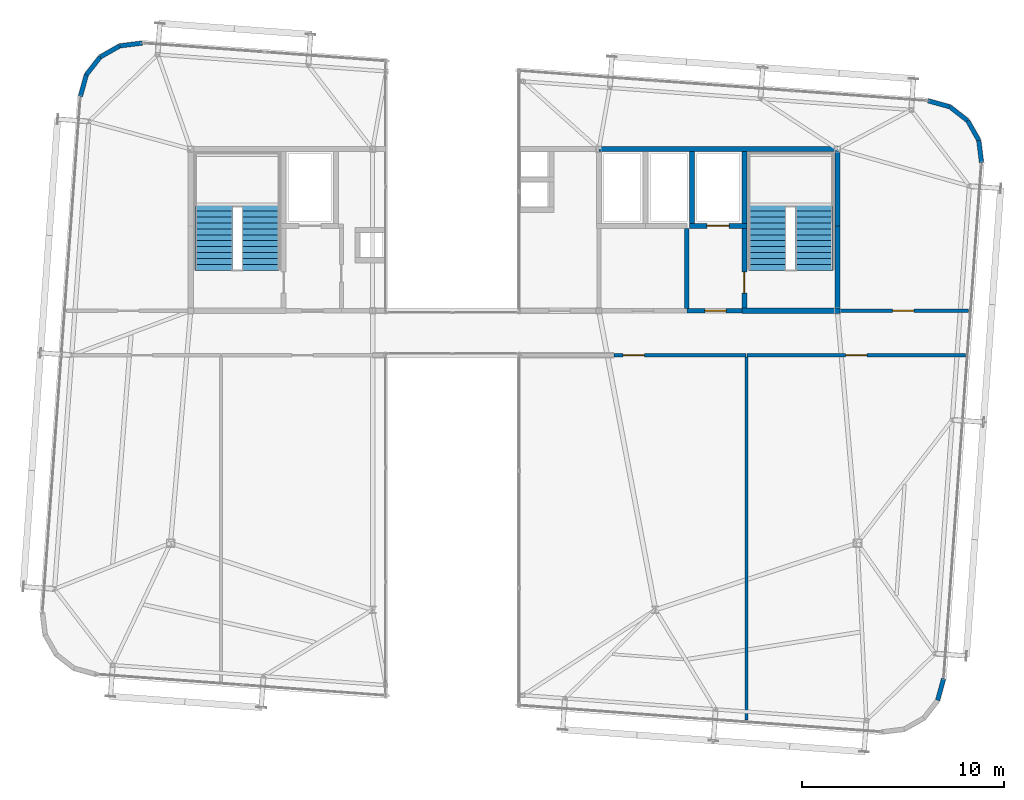
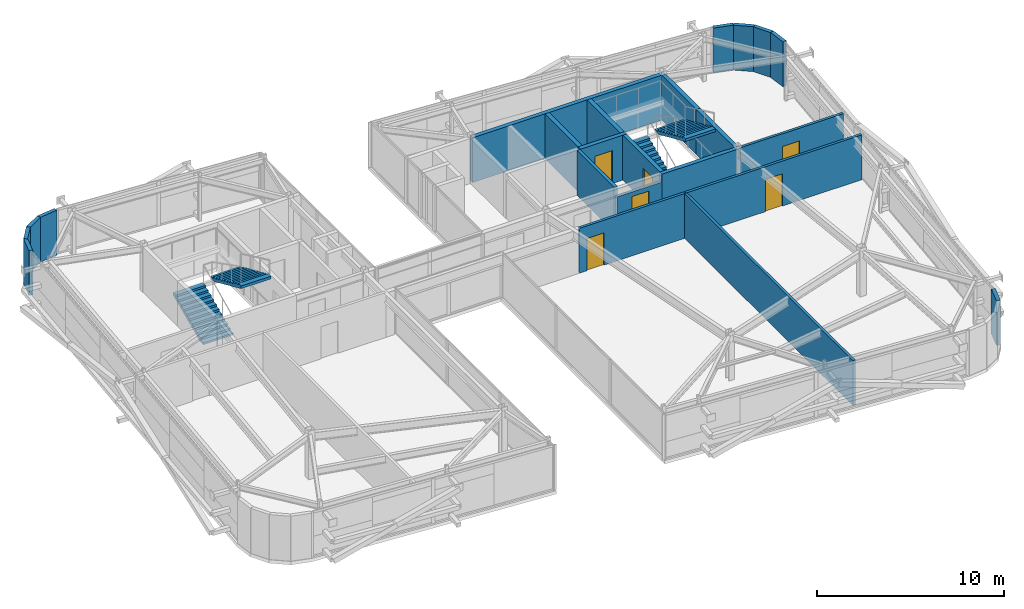
# One storey, part 37 of 39: 23 walls, 6 doors, 4 stair flights, 6 openings, 2 elements without a shape of their own.
"""IFC4 building model written with IfcOpenShell, lengths in metres."""

from ifc_helpers import new_model, si_unit, direction, frame, frame_2d, origin, place, context, subcontext, project, spatial, polyline, rectangle, outline, extrude, source, transform, mapped, material, layer, layer_set, type_object, element, fill, aggregate, save


model = new_model("IFC4")

# Units and contexts
model_context = context("Model", 3, precision=1e-05, world=origin(), true_north=direction((0.0, 1.0)))
body_context = subcontext(model_context, "Body", "Model", "MODEL_VIEW")
ifc_project = project(units=[si_unit("LENGTHUNIT", "METRE"), si_unit("AREAUNIT", "SQUARE_METRE"), si_unit("VOLUMEUNIT", "CUBIC_METRE"), si_unit("PLANEANGLEUNIT", "RADIAN"), si_unit("MASSUNIT", "GRAM", prefix="KILO")], contexts=[model_context])

# Site, building, storey
site_placement = place(None, origin())
site = spatial("IfcSite", under=ifc_project, at=site_placement, CompositionType="ELEMENT")
building_placement = place(site_placement, origin())
building = spatial("IfcBuilding", under=site, at=building_placement, Name="Taldren Reach Tower", CompositionType="ELEMENT")
storey_placement = place(building_placement, frame((0.0, 0.0, 230.300048828125)))
storey = spatial("IfcBuildingStorey", under=building, at=storey_placement, Name="L70", CompositionType="ELEMENT", Elevation=230.300048828125)

# Walls
ifc_material_1 = material(Name="Pale Champagne Anodised Aluminium Cladding", Category="aluminium")
ifc_layer_1 = layer(ifc_material_1, 0.04, Name="Pale Champagne Anodised Aluminium Cladding", Category="aluminium")
ifc_material_2 = material(Name="Mineral Wool Acoustic Insulation", Category="insulation")
ifc_layer_2 = layer(ifc_material_2, 0.06, Name="Mineral Wool Acoustic Insulation", Category="insulation")
ifc_material_3 = material(Name="Steel Gr 350 (C350L0)", Category="steel")
ifc_layer_3 = layer(ifc_material_3, 0.12, Name="Steel Gr 350 (C350L0)", Category="steel")
ifc_layer_set_1 = layer_set([ifc_layer_1, ifc_layer_2, ifc_layer_3], Name="Pale Champagne Aluminium Cladding and Steel Gr 350 Stud Framing")
wall_type_1 = type_object("IfcWallType", Name="EW-CRN-220", PredefinedType="SOLIDWALL", material=ifc_layer_set_1)
shared_shape_1 = source(origin(), body_context, "Body", "SweptSolid", [
    extrude(rectangle(XDim=1.115966796875, YDim=0.219970703125, at=frame_2d((0.55810546875, 0.0))), origin(), (0.0, 0.0, 1.0), 2.929931640625),
])
for number, where, z_axis, x_axis, name in (
    (1, (55.96533203125, 4.72119140625, 0.0), (0.0, 0.0, 1.0), (0.26624444942, 0.963905541613, 0.0), "Rounded-corner pale-metal facade wall L70-SE4"),
    (2, (58.137451171875, 31.328125, 0.0), (0.0, 0.0, 1.0), (-0.122742076028, 0.992438604032, 0.0), "Rounded-corner pale-metal facade wall L70-NE1"),
    (3, (57.4501953125, 33.40625, 0.0), (0.0, 0.0, 1.0), (-0.788597772321, 0.614909386406, 0.0), "Rounded-corner pale-metal facade wall L70-NE3"),
    (4, (14.52099609375, 36.558837890625, 0.0), (0.0, 0.0, 1.0), (-0.614909386406, -0.788597772321, 0.0), "Rounded-corner pale-metal facade wall L70-NW3"),
):
    element("IfcWall", number, at=place(storey_placement, frame(where, z_axis=z_axis, x_axis=x_axis)), inside=storey, type_object=wall_type_1, Name=name, PredefinedType="SOLIDWALL", context=body_context, shape_type="MappedRepresentation", body=[
        mapped(shared_shape_1, transform((0.0, 0.0, 0.0), scale=1.0)),
    ])
shared_shape_2 = source(origin(), body_context, "Body", "SweptSolid", [
    extrude(rectangle(XDim=1.11572265625, YDim=0.219970703125, at=frame_2d((0.557861328125, 0.0))), origin(), (0.0, 0.0, 1.0), 2.929931640625),
])
for number, where, z_axis, x_axis, name in (
    (5, (58.00048828125, 32.435546875, 0.0), (0.0, 0.0, 1.0), (-0.493167138628, 0.869934579941, 0.0), "Rounded-corner pale-metal facade wall L70-NE2"),
    (6, (56.570068359375, 34.092529296875, 0.0), (0.0, 0.0, 1.0), (-0.963833843713, 0.266503886865, 0.0), "Rounded-corner pale-metal facade wall L70-NE4"),
    (7, (15.49169921875, 37.109130859375, 0.0), (0.0, 0.0, 1.0), (-0.869934579941, -0.493167138628, 0.0), "Rounded-corner pale-metal facade wall L70-NW2"),
    (8, (13.834716796875, 35.6787109375, 0.0), (0.0, 0.0, 1.0), (-0.266300605026, -0.963890028874, 0.0), "Rounded-corner pale-metal facade wall L70-NW4"),
):
    element("IfcWall", number, at=place(storey_placement, frame(where, z_axis=z_axis, x_axis=x_axis)), inside=storey, type_object=wall_type_1, Name=name, PredefinedType="SOLIDWALL", context=body_context, shape_type="MappedRepresentation", body=[
        mapped(shared_shape_2, transform((0.0, 0.0, 0.0), scale=1.0)),
    ])
shared_shape_3 = source(origin(), body_context, "Body", "SweptSolid", [
    extrude(rectangle(XDim=1.1162109375, YDim=0.219970703125, at=frame_2d((0.55810546875, 0.0))), origin(), (0.0, 0.0, 1.0), 2.929931640625),
])
wall_1_placement = place(storey_placement, frame((16.599365234375, 37.24609375, 0.0), z_axis=(0.0, 0.0, 1.0), x_axis=(-0.992441899189, -0.122715429897, 0.0)))
element("IfcWall", 9, at=wall_1_placement, inside=storey, type_object=wall_type_1, Name="Rounded-corner pale-metal facade wall L70-NW1", PredefinedType="SOLIDWALL", context=body_context, shape_type="MappedRepresentation", body=[
    mapped(shared_shape_3, transform((0.0, 0.0, 0.0), scale=1.0)),
])
ifc_material_4 = material(Name="Concrete S65 (65 MPa)", Category="concrete")
ifc_layer_4 = layer(ifc_material_4, 0.25)
ifc_layer_set_2 = layer_set([ifc_layer_4], Name="Concrete S65 (65 MPa)")
wall_type_2 = type_object("IfcWallType", Name="IW-CORE-250", PredefinedType="SHEAR", material=ifc_layer_set_2)
shared_shape_4 = source(origin(), body_context, "Body", "SweptSolid", [
    extrude(rectangle(XDim=11.925048828125, YDim=0.25, at=frame_2d((5.96240234375, 0.0))), origin(), (0.0, 0.0, 1.0), 2.929931640625),
])
wall_2_placement = place(storey_placement, frame((39.199951171875, 32.0, 0.0), z_axis=(0.0, 0.0, 1.0), x_axis=(1.0, 0.0, 0.0)))
element("IfcWall", 10, at=wall_2_placement, inside=storey, type_object=wall_type_2, Name="Rear Core Shear Wall W-CORE-L70-NORTH4", PredefinedType="SHEAR", context=body_context, shape_type="MappedRepresentation", body=[
    mapped(shared_shape_4, transform((0.0, 0.0, 0.0), scale=1.0)),
])
shared_shape_5 = source(origin(), body_context, "Body", "SweptSolid", [
    extrude(rectangle(XDim=4.074951171875, YDim=0.25, at=frame_2d((2.03759765625, 0.0))), origin(), (0.0, 0.0, 1.0), 2.929931640625),
])
wall_3_placement = place(storey_placement, frame((51.0, 24.125, 0.0), z_axis=(0.0, 0.0, 1.0), x_axis=(0.0, 1.0, 0.0)))
element("IfcWall", 11, at=wall_3_placement, inside=storey, type_object=wall_type_2, Name="Rear Core Shear Wall W-CORE-L70-EAST1", PredefinedType="SHEAR", context=body_context, shape_type="MappedRepresentation", body=[
    mapped(shared_shape_5, transform((0.0, 0.0, 0.0), scale=1.0)),
])
shared_shape_6 = source(origin(), body_context, "Body", "SweptSolid", [
    extrude(rectangle(XDim=3.675048828125, YDim=0.25, at=frame_2d((1.83740234375, 0.0))), origin(), (0.0, 0.0, 1.0), 2.929931640625),
])
wall_4_placement = place(storey_placement, frame((51.0, 28.199951171875, 0.0), z_axis=(0.0, 0.0, 1.0), x_axis=(0.0, 1.0, 0.0)))
element("IfcWall", 12, at=wall_4_placement, inside=storey, type_object=wall_type_2, Name="Rear Core Shear Wall W-CORE-L70-EAST2", PredefinedType="SHEAR", context=body_context, shape_type="MappedRepresentation", body=[
    mapped(shared_shape_6, transform((0.0, 0.0, 0.0), scale=1.0)),
])
shared_shape_7 = source(origin(), body_context, "Body", "SweptSolid", [
    extrude(rectangle(XDim=3.550048828125, YDim=0.25, at=frame_2d((1.77490234375, 0.0))), origin(), (0.0, 0.0, 1.0), 2.929931640625),
])
for number, where, z_axis, x_axis, name in (
    (13, (46.39990234375, 31.875, 0.0), (0.0, 0.0, 1.0), (0.0, -1.0, 0.0), "Rear Core Shear Wall W-INT-L70-008"),
    (14, (43.800048828125, 31.875, 0.0), (0.0, 0.0, 1.0), (0.0, -1.0, 0.0), "Rear Core Shear Wall W-INT-L70-012"),
):
    element("IfcWall", number, at=place(storey_placement, frame(where, z_axis=z_axis, x_axis=x_axis)), inside=storey, type_object=wall_type_2, Name=name, PredefinedType="SHEAR", context=body_context, shape_type="MappedRepresentation", body=[
        mapped(shared_shape_7, transform((0.0, 0.0, 0.0), scale=1.0)),
    ])

# Wall, opening, door
shared_shape_8 = source(origin(), body_context, "Body", "SweptSolid", [
    extrude(rectangle(XDim=3.949951171875, YDim=0.25, at=frame_2d((1.97509765625, 0.0))), origin(), (0.0, 0.0, 1.0), 2.929931640625),
])
wall_5_placement = place(storey_placement, frame((46.39990234375, 28.074951171875, 0.0), z_axis=(0.0, 0.0, 1.0), x_axis=(0.0, -1.0, 0.0)))
wall_5 = element("IfcWall", 15, at=wall_5_placement, inside=storey, type_object=wall_type_2, Name="Rear Core Shear Wall W-INT-L70-009", PredefinedType="SHEAR", context=body_context, shape_type="MappedRepresentation", body=[
    mapped(shared_shape_8, transform((0.0, 0.0, 0.0), scale=1.0)),
])
shared_shape_9 = source(origin(), body_context, "Body", "SweptSolid", [
    extrude(rectangle(XDim=1.050048828125, YDim=2.10009765625, at=frame_2d((0.52490234375, 1.050048828125))), frame((0.0, 0.135009765625, 0.0), z_axis=(0.0, -1.0, 0.0), x_axis=(1.0, 0.0, 0.0)), (0.0, 0.0, 1.0), 0.27001953125),
])
opening_1_placement = place(wall_5_placement, frame((2.14990234375, 0.0, 0.0)))
opening_1 = element("IfcOpeningElement", 16, at=opening_1_placement, cuts=wall_5, Name="Opening DF-105", PredefinedType="OPENING", context=body_context, shape_type="MappedRepresentation", body=[
    mapped(shared_shape_9, transform((0.0, 0.0, 0.0), scale=1.0)),
])
ifc_material_5 = material(Name="Fire-Rated Care and Stair Exit Door")
door_type_1 = type_object("IfcDoorType", Name="ID-FIRE-105", OperationType="NOTDEFINED", PredefinedType="DOOR", material=ifc_material_5)
shared_shape_10 = source(origin(), body_context, "Body", "SweptSolid", [
    extrude(rectangle(XDim=1.050048828125, YDim=2.10009765625, at=frame_2d((0.52490234375, 1.050048828125))), frame((0.0, 0.02490234375, 0.0), z_axis=(0.0, -1.0, 0.0), x_axis=(1.0, 0.0, 0.0)), (0.0, 0.0, 1.0), 0.050048828125),
])
door_1_placement = place(opening_1_placement, origin())
door_1 = element("IfcDoor", 17, at=door_1_placement, inside=storey, type_object=door_type_1, Name="Fire Exit Stair Door DR-L70-003", OperationType="SINGLE_SWING_RIGHT", OverallHeight=2.10009765625, OverallWidth=1.050048828125, PredefinedType="DOOR", context=body_context, shape_type="MappedRepresentation", body=[
    mapped(shared_shape_10, transform((0.0, 0.0, 0.0), scale=1.0)),
])
fill(opening_1, door_1)

# Wall
shared_shape_11 = source(origin(), body_context, "Body", "SweptSolid", [
    extrude(rectangle(XDim=4.85009765625, YDim=0.25, at=frame_2d((2.425048828125, 0.0))), origin(), (0.0, 0.0, 1.0), 2.929931640625),
])
wall_6_placement = place(storey_placement, frame((46.27490234375, 24.0, 0.0), z_axis=(0.0, 0.0, 1.0), x_axis=(1.0, 0.0, 0.0)))
element("IfcWall", 18, at=wall_6_placement, inside=storey, type_object=wall_type_2, Name="Rear Core Shear Wall W-INT-L70-010", PredefinedType="SHEAR", context=body_context, shape_type="MappedRepresentation", body=[
    mapped(shared_shape_11, transform((0.0, 0.0, 0.0), scale=1.0)),
])

# Wall, opening, door
shared_shape_12 = source(origin(), body_context, "Body", "SweptSolid", [
    extrude(rectangle(XDim=2.849853515625, YDim=0.25, at=frame_2d((1.4248046875, 0.0))), origin(), (0.0, 0.0, 1.0), 2.929931640625),
])
wall_7_placement = place(storey_placement, frame((43.675048828125, 28.199951171875, 0.0), z_axis=(0.0, 0.0, 1.0), x_axis=(1.0, 0.0, 0.0)))
wall_7 = element("IfcWall", 19, at=wall_7_placement, inside=storey, type_object=wall_type_2, Name="Rear Core Shear Wall W-INT-L70-011", PredefinedType="SHEAR", context=body_context, shape_type="MappedRepresentation", body=[
    mapped(shared_shape_12, transform((0.0, 0.0, 0.0), scale=1.0)),
])
shared_shape_13 = source(origin(), body_context, "Body", "SweptSolid", [
    extrude(rectangle(XDim=1.10009765625, YDim=2.14990234375, at=frame_2d((0.550048828125, 1.074951171875))), frame((0.0, 0.135009765625, 0.0), z_axis=(0.0, -1.0, 0.0), x_axis=(1.0, 0.0, 0.0)), (0.0, 0.0, 1.0), 0.27001953125),
])
opening_2_placement = place(wall_7_placement, frame((0.875, 0.0, 0.0)))
opening_2 = element("IfcOpeningElement", 20, at=opening_2_placement, cuts=wall_7, Name="Opening LD-FL2", PredefinedType="OPENING", context=body_context, shape_type="MappedRepresentation", body=[
    mapped(shared_shape_13, transform((0.0, 0.0, 0.0), scale=1.0)),
])
ifc_material_6 = material(Name="Stainless Steel Gr 316 Emergency Lift Landing Door", Category="steel")
door_type_2 = type_object("IfcDoorType", Name="LD-EMG-110", OperationType="SLIDING_TO_LEFT", PredefinedType="DOOR", material=ifc_material_6)
shared_shape_14 = source(origin(), body_context, "Body", "SweptSolid", [
    extrude(rectangle(XDim=1.10009765625, YDim=2.14990234375, at=frame_2d((0.550048828125, 1.074951171875))), frame((0.0, 0.02490234375, 0.0), z_axis=(0.0, -1.0, 0.0), x_axis=(1.0, 0.0, 0.0)), (0.0, 0.0, 1.0), 0.050048828125),
])
door_2_placement = place(opening_2_placement, origin())
door_2 = element("IfcDoor", 21, at=door_2_placement, inside=storey, type_object=door_type_2, Name="Lift Landing Door LD-FL2-L70", OperationType="SLIDING_TO_LEFT", OverallHeight=2.14990234375, OverallWidth=1.10009765625, PredefinedType="DOOR", context=body_context, shape_type="MappedRepresentation", body=[
    mapped(shared_shape_14, transform((0.0, 0.0, 0.0), scale=1.0)),
])
fill(opening_2, door_2)

# Wall
ifc_material_7 = material(Name="Concrete S50 (50 MPa)", Category="concrete")
ifc_layer_5 = layer(ifc_material_7, 0.199951171875)
ifc_layer_set_3 = layer_set([ifc_layer_5], Name="Concrete S50 (50 MPa)")
wall_type_3 = type_object("IfcWallType", Name="IW-CORE-200", PredefinedType="SOLIDWALL", material=ifc_layer_set_3)
shared_shape_15 = source(origin(), body_context, "Body", "SweptSolid", [
    extrude(rectangle(XDim=3.974853515625, YDim=0.199951171875, at=frame_2d((1.9873046875, 0.0))), origin(), (0.0, 0.0, 1.0), 2.929931640625),
])
wall_8_placement = place(storey_placement, frame((43.550048828125, 28.074951171875, 0.0), z_axis=(0.0, 0.0, 1.0), x_axis=(0.0, -1.0, 0.0)))
element("IfcWall", 22, at=wall_8_placement, inside=storey, type_object=wall_type_3, Name="Rear Core Shear Wall W-INT-L70-013", PredefinedType="SOLIDWALL", context=body_context, shape_type="MappedRepresentation", body=[
    mapped(shared_shape_15, transform((0.0, 0.0, 0.0), scale=1.0)),
])

# Wall, opening, door
shared_shape_16 = source(origin(), body_context, "Body", "SweptSolid", [
    extrude(rectangle(XDim=2.724853515625, YDim=0.199951171875, at=frame_2d((1.3623046875, 0.0))), origin(), (0.0, 0.0, 1.0), 2.39697265625),
])
wall_9_placement = place(storey_placement, frame((43.550048828125, 24.0, 0.0), z_axis=(0.0, 0.0, 1.0), x_axis=(1.0, 0.0, 0.0)))
wall_9 = element("IfcWall", 23, at=wall_9_placement, inside=storey, type_object=wall_type_3, Name="Rear Core Shear Wall W-INT-L70-014", PredefinedType="SOLIDWALL", context=body_context, shape_type="MappedRepresentation", body=[
    mapped(shared_shape_16, transform((0.0, 0.0, 0.0), scale=1.0)),
])
shared_shape_17 = source(origin(), body_context, "Body", "SweptSolid", [
    extrude(rectangle(XDim=1.050048828125, YDim=2.10009765625, at=frame_2d((0.52490234375, 1.050048828125))), frame((0.0, 0.10986328125, 0.0), z_axis=(0.0, -1.0, 0.0), x_axis=(1.0, 0.0, 0.0)), (0.0, 0.0, 1.0), 0.219970703125),
])
opening_3_placement = place(wall_9_placement, frame((0.89990234375, 0.0, 0.0)))
opening_3 = element("IfcOpeningElement", 24, at=opening_3_placement, cuts=wall_9, Name="Opening DF-105", PredefinedType="OPENING", context=body_context, shape_type="MappedRepresentation", body=[
    mapped(shared_shape_17, transform((0.0, 0.0, 0.0), scale=1.0)),
])
door_3_placement = place(opening_3_placement, origin())
door_3 = element("IfcDoor", 25, at=door_3_placement, inside=storey, type_object=door_type_1, Name="Interior Door DR-L70-004", OperationType="SINGLE_SWING_LEFT", OverallHeight=2.10009765625, OverallWidth=1.050048828125, PredefinedType="DOOR", context=body_context, shape_type="MappedRepresentation", body=[
    mapped(shared_shape_10, transform((0.0, 0.0, 0.0), scale=1.0)),
])
fill(opening_3, door_3)

ifc_material_8 = material(Name="Fire-Rated Acoustic Plasterboard Stud Wall", Category="gypsum")
ifc_layer_6 = layer(ifc_material_8, 0.159912109375)
ifc_layer_set_4 = layer_set([ifc_layer_6], Name="Fire-Rated Acoustic Plasterboard Stud Wall")
wall_type_4 = type_object("IfcWallType", Name="IW-FIRE-160", PredefinedType="PARTITIONING", material=ifc_layer_set_4)
shared_shape_18 = source(origin(), body_context, "Body", "SweptSolid", [
    extrude(rectangle(XDim=6.378173828125, YDim=0.159912109375, at=frame_2d((3.18896484375, 0.0))), origin(), (0.0, 0.0, 1.0), 2.929931640625),
])
wall_10_placement = place(storey_placement, frame((51.125, 24.0, 0.0), z_axis=(0.0, 0.0, 1.0), x_axis=(1.0, 0.0, 0.0)))
wall_10 = element("IfcWall", 26, at=wall_10_placement, inside=storey, type_object=wall_type_4, Name="Interior Partition Wall W-INT-L70-031", PredefinedType="PARTITIONING", context=body_context, shape_type="MappedRepresentation", body=[
    mapped(shared_shape_18, transform((0.0, 0.0, 0.0), scale=1.0)),
])
shared_shape_19 = source(origin(), body_context, "Body", "SweptSolid", [
    extrude(rectangle(XDim=1.050048828125, YDim=2.10009765625, at=frame_2d((0.52490234375, 1.050048828125))), frame((0.0, 0.08984375, 0.0), z_axis=(0.0, -1.0, 0.0), x_axis=(1.0, 0.0, 0.0)), (0.0, 0.0, 1.0), 0.179931640625),
])
opening_4_placement = place(wall_10_placement, frame((2.61181640625, 0.0, 0.0)))
opening_4 = element("IfcOpeningElement", 27, at=opening_4_placement, cuts=wall_10, Name="Opening DF-105", PredefinedType="OPENING", context=body_context, shape_type="MappedRepresentation", body=[
    mapped(shared_shape_19, transform((0.0, 0.0, 0.0), scale=1.0)),
])
door_4_placement = place(opening_4_placement, origin())
door_4 = element("IfcDoor", 28, at=door_4_placement, inside=storey, type_object=door_type_1, Name="Interior Door DR-L70-008", OperationType="SINGLE_SWING_LEFT", OverallHeight=2.10009765625, OverallWidth=1.050048828125, PredefinedType="DOOR", context=body_context, shape_type="MappedRepresentation", body=[
    mapped(shared_shape_10, transform((0.0, 0.0, 0.0), scale=1.0)),
])
fill(opening_4, door_4)

shared_shape_20 = source(origin(), body_context, "Body", "SweptSolid", [
    extrude(rectangle(XDim=6.52978515625, YDim=0.159912109375, at=frame_2d((3.264892578125, 0.0))), origin(), (0.0, 0.0, 1.0), 2.929931640625),
])
wall_11_placement = place(storey_placement, frame((46.479736328125, 21.800048828125, 0.0), z_axis=(0.0, 0.0, 1.0), x_axis=(-1.0, 0.0, 0.0)))
wall_11 = element("IfcWall", 29, at=wall_11_placement, inside=storey, type_object=wall_type_4, Name="Interior Partition Wall W-INT-L70-034", PredefinedType="PARTITIONING", context=body_context, shape_type="MappedRepresentation", body=[
    mapped(shared_shape_20, transform((0.0, 0.0, 0.0), scale=1.0)),
])
opening_5_placement = place(wall_11_placement, frame((5.031982421875, 0.0, 0.0)))
opening_5 = element("IfcOpeningElement", 30, at=opening_5_placement, cuts=wall_11, Name="Opening DF-105", PredefinedType="OPENING", context=body_context, shape_type="MappedRepresentation", body=[
    mapped(shared_shape_19, transform((0.0, 0.0, 0.0), scale=1.0)),
])
door_5_placement = place(opening_5_placement, origin())
door_5 = element("IfcDoor", 31, at=door_5_placement, inside=storey, type_object=door_type_1, Name="Interior Door DR-L70-011", OperationType="SINGLE_SWING_RIGHT", OverallHeight=2.10009765625, OverallWidth=1.050048828125, PredefinedType="DOOR", context=body_context, shape_type="MappedRepresentation", body=[
    mapped(shared_shape_10, transform((0.0, 0.0, 0.0), scale=1.0)),
])
fill(opening_5, door_5)

shared_shape_21 = source(origin(), body_context, "Body", "SweptSolid", [
    extrude(rectangle(XDim=10.8330078125, YDim=0.159912109375, at=frame_2d((5.41650390625, 0.0))), origin(), (0.0, 0.0, 1.0), 2.929931640625),
])
wall_12_placement = place(storey_placement, frame((57.353271484375, 21.800048828125, 0.0), z_axis=(0.0, 0.0, 1.0), x_axis=(-1.0, 0.0, 0.0)))
wall_12 = element("IfcWall", 32, at=wall_12_placement, inside=storey, type_object=wall_type_4, Name="Interior Partition Wall W-INT-L70-035", PredefinedType="PARTITIONING", context=body_context, shape_type="MappedRepresentation", body=[
    mapped(shared_shape_21, transform((0.0, 0.0, 0.0), scale=1.0)),
])
opening_6_placement = place(wall_12_placement, frame((4.8916015625, 0.0, 0.0)))
opening_6 = element("IfcOpeningElement", 33, at=opening_6_placement, cuts=wall_12, Name="Opening DF-105", PredefinedType="OPENING", context=body_context, shape_type="MappedRepresentation", body=[
    mapped(shared_shape_19, transform((0.0, 0.0, 0.0), scale=1.0)),
])
door_6_placement = place(opening_6_placement, origin())
door_6 = element("IfcDoor", 34, at=door_6_placement, inside=storey, type_object=door_type_1, Name="Interior Door DR-L70-012", OperationType="SINGLE_SWING_LEFT", OverallHeight=2.10009765625, OverallWidth=1.050048828125, PredefinedType="DOOR", context=body_context, shape_type="MappedRepresentation", body=[
    mapped(shared_shape_10, transform((0.0, 0.0, 0.0), scale=1.0)),
])
fill(opening_6, door_6)

# Wall
shared_shape_22 = source(origin(), body_context, "Body", "SweptSolid", [
    extrude(rectangle(XDim=17.977783203125, YDim=0.159912109375, at=frame_2d((8.98876953125, 0.0))), origin(), (0.0, 0.0, 1.0), 2.929931640625),
])
wall_13_placement = place(storey_placement, frame((46.5, 21.719970703125, 0.0), z_axis=(0.0, 0.0, 1.0), x_axis=(0.0, -1.0, 0.0)))
element("IfcWall", 35, at=wall_13_placement, inside=storey, type_object=wall_type_4, Name="Interior Partition Wall W-INT-L70-037", PredefinedType="PARTITIONING", context=body_context, shape_type="MappedRepresentation", body=[
    mapped(shared_shape_22, transform((0.0, 0.0, 0.0), scale=1.0)),
])

# Stair, stair flights
stair_type = type_object("IfcStairType", Name="ST-HT-315", PredefinedType="HALF_TURN_STAIR", material=ifc_material_7)
stair_1_placement = place(storey_placement, origin())
stair_1 = element("IfcStair", 36, at=stair_1_placement, inside=storey, type_object=stair_type, Name="Fire-isolated exit stair ST1 L70", PredefinedType="HALF_TURN_STAIR")
stair_flight_type = type_object("IfcStairFlightType", Name="SF-STR-315", PredefinedType="STRAIGHT", material=ifc_material_7)
stair_flight_1_placement = place(storey_placement, frame((20.139892578125, 25.989990234375, 0.0), z_axis=(0.0, 0.0, 1.0), x_axis=(0.0, 1.0, 0.0)))
stair_flight_1 = element("IfcStairFlight", 37, at=stair_flight_1_placement, type_object=stair_flight_type, Name="ST1 flight 1", NumberOfRisers=12, NumberOfTreads=11, PredefinedType="STRAIGHT", RiserHeight=0.13125, TreadLength=0.295, context=body_context, shape_type="SweptSolid", body=[
    extrude(outline(polyline([(0.0, 0.0), (0.0, 0.13134765625), (0.294921875, 0.13134765625), (0.294921875, 0.262451171875), (0.590087890625, 0.262451171875), (0.590087890625, 0.393798828125), (0.885009765625, 0.393798828125), (0.885009765625, 0.52490234375), (1.179931640625, 0.52490234375), (1.179931640625, 0.65625), (1.47509765625, 0.65625), (1.47509765625, 0.78759765625), (1.77001953125, 0.78759765625), (1.77001953125, 0.918701171875), (2.06494140625, 0.918701171875), (2.06494140625, 1.050048828125), (2.360107421875, 1.050048828125), (2.360107421875, 1.18115234375), (2.655029296875, 1.18115234375), (2.655029296875, 1.3125), (2.949951171875, 1.3125), (2.949951171875, 1.44384765625), (3.2451171875, 1.44384765625), (3.2451171875, 1.574951171875), (3.2451171875, 1.268798828125), (0.393310546875, 0.0), (0.0, 0.0)])), frame((0.0, 0.919921875, 0.0), z_axis=(0.0, -1.0, 0.0), x_axis=(1.0, 0.0, 0.0)), (0.0, 0.0, 1.0), 1.840087890625),
])
stair_flight_2_placement = place(storey_placement, frame((22.4599609375, 29.235107421875, 1.574951171875), z_axis=(0.0, 0.0, 1.0), x_axis=(0.0, -1.0, 0.0)))
stair_flight_2 = element("IfcStairFlight", 38, at=stair_flight_2_placement, type_object=stair_flight_type, Name="ST1 flight 2", NumberOfRisers=12, NumberOfTreads=11, PredefinedType="STRAIGHT", RiserHeight=0.13125, TreadLength=0.295, context=body_context, shape_type="SweptSolid", body=[
    extrude(outline(polyline([(0.0, 0.0), (0.0, 0.13134765625), (0.294921875, 0.13134765625), (0.294921875, 0.262451171875), (0.590087890625, 0.262451171875), (0.590087890625, 0.393798828125), (0.885009765625, 0.393798828125), (0.885009765625, 0.52490234375), (1.179931640625, 0.52490234375), (1.179931640625, 0.65625), (1.47509765625, 0.65625), (1.47509765625, 0.78759765625), (1.77001953125, 0.78759765625), (1.77001953125, 0.918701171875), (2.06494140625, 0.918701171875), (2.06494140625, 1.050048828125), (2.360107421875, 1.050048828125), (2.360107421875, 1.18115234375), (2.655029296875, 1.18115234375), (2.655029296875, 1.3125), (2.949951171875, 1.3125), (2.949951171875, 1.44384765625), (3.2451171875, 1.44384765625), (3.2451171875, 1.574951171875), (3.2451171875, 1.268798828125), (0.393310546875, 0.0), (0.0, 0.0)])), frame((0.0, 0.919921875, 0.0), z_axis=(0.0, -1.0, 0.0), x_axis=(1.0, 0.0, 0.0)), (0.0, 0.0, 1.0), 1.840087890625),
])
aggregate(stair_1, [stair_flight_1, stair_flight_2])

stair_2_placement = place(storey_placement, origin())
stair_2 = element("IfcStair", 39, at=stair_2_placement, inside=storey, type_object=stair_type, Name="Fire-isolated exit stair ST2 L70", PredefinedType="HALF_TURN_STAIR")
stair_flight_3_placement = place(storey_placement, frame((47.5400390625, 25.989990234375, 0.0), z_axis=(0.0, 0.0, 1.0), x_axis=(0.0, 1.0, 0.0)))
stair_flight_3 = element("IfcStairFlight", 40, at=stair_flight_3_placement, type_object=stair_flight_type, Name="ST2 flight 1", NumberOfRisers=12, NumberOfTreads=11, PredefinedType="STRAIGHT", RiserHeight=0.13125, TreadLength=0.295, context=body_context, shape_type="SweptSolid", body=[
    extrude(outline(polyline([(0.0, 0.0), (0.0, 0.13134765625), (0.294921875, 0.13134765625), (0.294921875, 0.262451171875), (0.590087890625, 0.262451171875), (0.590087890625, 0.393798828125), (0.885009765625, 0.393798828125), (0.885009765625, 0.52490234375), (1.179931640625, 0.52490234375), (1.179931640625, 0.65625), (1.47509765625, 0.65625), (1.47509765625, 0.78759765625), (1.77001953125, 0.78759765625), (1.77001953125, 0.918701171875), (2.06494140625, 0.918701171875), (2.06494140625, 1.050048828125), (2.360107421875, 1.050048828125), (2.360107421875, 1.18115234375), (2.655029296875, 1.18115234375), (2.655029296875, 1.3125), (2.949951171875, 1.3125), (2.949951171875, 1.44384765625), (3.2451171875, 1.44384765625), (3.2451171875, 1.574951171875), (3.2451171875, 1.268798828125), (0.393310546875, 0.0), (0.0, 0.0)])), frame((0.0, 0.919921875, 0.0), z_axis=(0.0, -1.0, 0.0), x_axis=(1.0, 0.0, 0.0)), (0.0, 0.0, 1.0), 1.840087890625),
])
stair_flight_4_placement = place(storey_placement, frame((49.860107421875, 29.235107421875, 1.574951171875), z_axis=(0.0, 0.0, 1.0), x_axis=(0.0, -1.0, 0.0)))
stair_flight_4 = element("IfcStairFlight", 41, at=stair_flight_4_placement, type_object=stair_flight_type, Name="ST2 flight 2", NumberOfRisers=12, NumberOfTreads=11, PredefinedType="STRAIGHT", RiserHeight=0.13125, TreadLength=0.295, context=body_context, shape_type="SweptSolid", body=[
    extrude(outline(polyline([(0.0, 0.0), (0.0, 0.13134765625), (0.294921875, 0.13134765625), (0.294921875, 0.262451171875), (0.590087890625, 0.262451171875), (0.590087890625, 0.393798828125), (0.885009765625, 0.393798828125), (0.885009765625, 0.52490234375), (1.179931640625, 0.52490234375), (1.179931640625, 0.65625), (1.47509765625, 0.65625), (1.47509765625, 0.78759765625), (1.77001953125, 0.78759765625), (1.77001953125, 0.918701171875), (2.06494140625, 0.918701171875), (2.06494140625, 1.050048828125), (2.360107421875, 1.050048828125), (2.360107421875, 1.18115234375), (2.655029296875, 1.18115234375), (2.655029296875, 1.3125), (2.949951171875, 1.3125), (2.949951171875, 1.44384765625), (3.2451171875, 1.44384765625), (3.2451171875, 1.574951171875), (3.2451171875, 1.268798828125), (0.393310546875, 0.0), (0.0, 0.0)])), frame((0.0, 0.919921875, 0.0), z_axis=(0.0, -1.0, 0.0), x_axis=(1.0, 0.0, 0.0)), (0.0, 0.0, 1.0), 1.840087890625),
])
aggregate(stair_2, [stair_flight_3, stair_flight_4])

save(model, "model.ifc")
